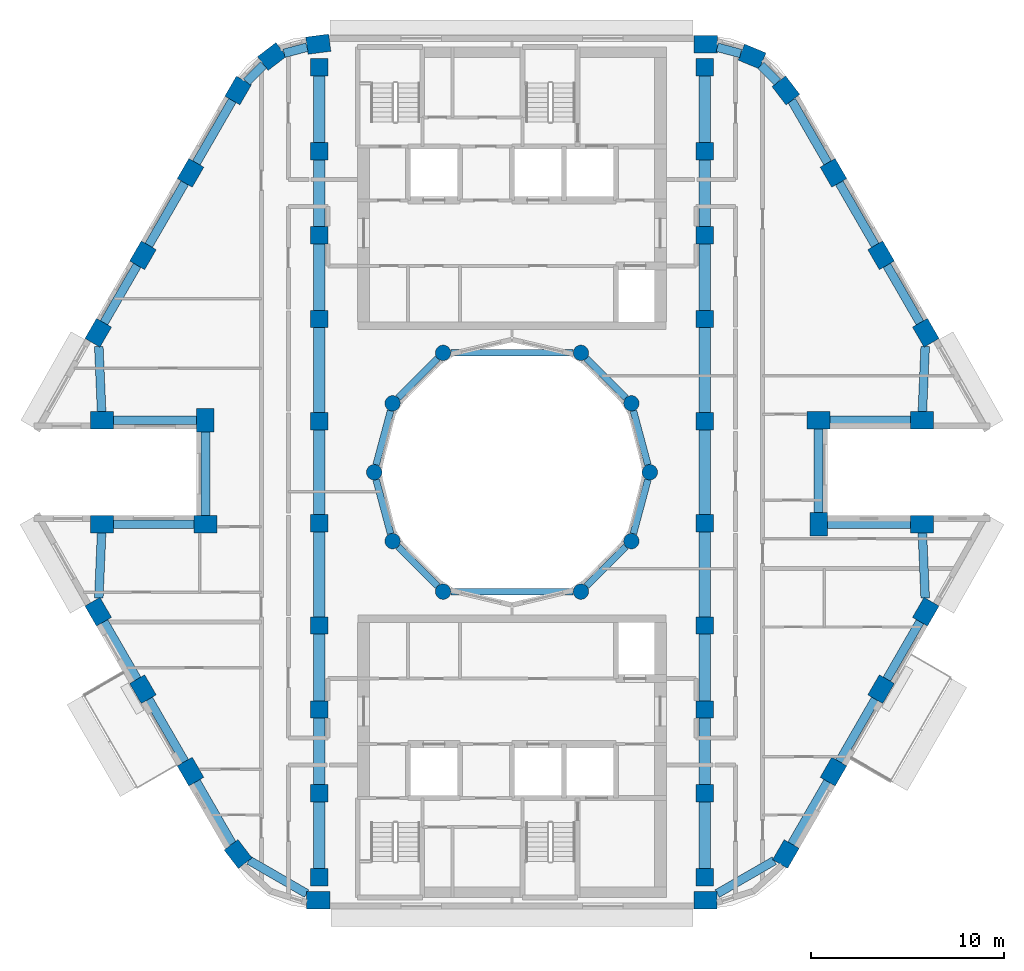
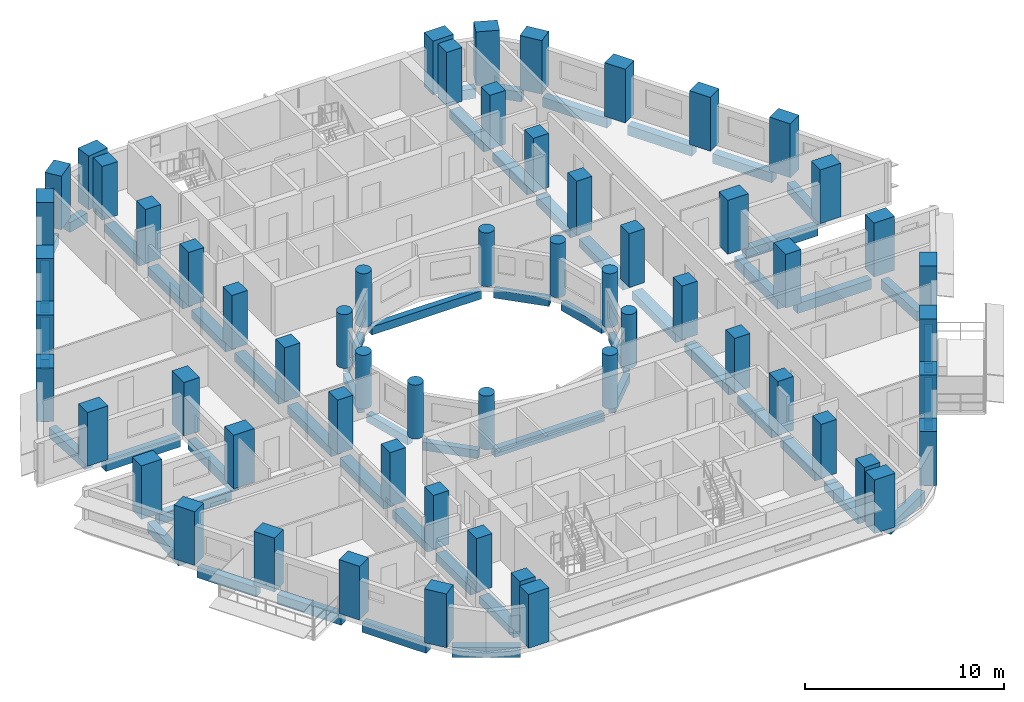
# One storey, part 1 of 15: 60 columns, 56 beams.
"""IFC4 building model written with IfcOpenShell, lengths in metres."""

from ifc_helpers import new_model, si_unit, direction, frame, origin, origin_2d, place, context, subcontext, project, spatial, rectangle, circle, extrude, material, material_profile, profile_set, type_object, element, save


model = new_model("IFC4")

# Units and contexts
model_context = context("Model", 3, precision=1e-05, world=origin(), true_north=direction((0.0, 1.0)))
body_context = subcontext(model_context, "Body", "Model", "MODEL_VIEW")
ifc_project = project(units=[si_unit("LENGTHUNIT", "METRE"), si_unit("AREAUNIT", "SQUARE_METRE"), si_unit("VOLUMEUNIT", "CUBIC_METRE"), si_unit("PLANEANGLEUNIT", "RADIAN"), si_unit("MASSUNIT", "GRAM", prefix="KILO")], contexts=[model_context])

# Site, building, storey
site_placement = place(None, origin())
site = spatial("IfcSite", under=ifc_project, at=site_placement, CompositionType="ELEMENT")
building_placement = place(site_placement, origin())
building = spatial("IfcBuilding", under=site, at=building_placement, Name="Nakaniwa Court", CompositionType="ELEMENT")
storey_placement = place(building_placement, frame((0.0, 0.0, 183.300048828125)))
storey = spatial("IfcBuildingStorey", under=building, at=storey_placement, Name="L47", CompositionType="ELEMENT", Elevation=183.300048828125)

# Columns
ifc_material = material(Name="Concrete C80/100", Category="concrete")
ifc_material_profile_1 = material_profile(ifc_material, rectangle(XDim=1.199951171875, YDim=0.89990234375, at=origin_2d()), Name="Concrete C80/100 RC 1200x900 perimeter column")
ifc_profile_set_1 = profile_set([ifc_material_profile_1], Name="Concrete C80/100")
column_type_1 = type_object("IfcColumnType", Name="Concrete C80/100 RC 1200x900 perimeter column", PredefinedType="COLUMN", material=ifc_profile_set_1)
for number, where, z_axis, x_axis, name in (
    (1, (69.95458984375, 102.199951171875, 0.0), (0.0, 0.0, 1.0), (-0.991442583111, -0.130543496177, 0.0), "COLUMN CO-01"),
    (2, (67.552001953125, 101.560302734375, 0.0), (0.0, 0.0, 1.0), (-0.793363965062, -0.608747582288, 0.0), "COLUMN CO-02"),
    (3, (65.796875, 99.799560546875, 0.0), (0.0, 0.0, 1.0), (-0.5, -0.866025403784, 0.0), "COLUMN CO-03"),
    (4, (63.328857421875, 95.524658203125, 0.0), (0.0, 0.0, 1.0), (-0.5, -0.866025403784, 0.0), "COLUMN CO-04"),
    (5, (60.860595703125, 91.249755859375, 0.0), (0.0, 0.0, 1.0), (-0.5, -0.866025403784, 0.0), "COLUMN CO-05"),
    (6, (58.541015625, 87.232177734375, 0.0), (0.0, 0.0, 1.0), (-0.5, -0.866025403784, 0.0), "COLUMN CO-06"),
    (7, (58.736083984375, 82.699951171875, 0.0), (0.0, 0.0, 1.0), (1.0, 0.0, 0.0), "COLUMN CO-08"),
    (8, (64.1005859375, 82.699951171875, 0.0), (0.0, 0.0, 1.0), (0.0, -1.0, 0.0), "COLUMN CO-09"),
    (9, (64.1005859375, 77.300048828125, 0.0), (0.0, 0.0, 1.0), (-1.0, 0.0, 0.0), "COLUMN CO-10"),
    (10, (58.736083984375, 77.300048828125, 0.0), (0.0, 0.0, 1.0), (-1.0, 0.0, 0.0), "COLUMN CO-11"),
    (11, (58.541015625, 72.767822265625, 0.0), (0.0, 0.0, 1.0), (0.5, -0.866025403784, 0.0), "COLUMN CO-13"),
    (12, (60.860595703125, 68.750244140625, 0.0), (0.0, 0.0, 1.0), (0.5, -0.866025403784, 0.0), "COLUMN CO-14"),
    (13, (63.328857421875, 64.475341796875, 0.0), (0.0, 0.0, 1.0), (0.5, -0.866025403784, 0.0), "COLUMN CO-15"),
    (14, (65.796875, 60.200439453125, 0.0), (0.0, 0.0, 1.0), (0.608761429009, -0.793353340291, 0.0), "COLUMN CO-16"),
    (15, (69.95458984375, 57.800048828125, 0.0), (0.0, 0.0, 1.0), (1.0, 0.0, 0.0), "COLUMN CO-17"),
    (16, (90.03955078125, 57.800048828125, 0.0), (0.0, 0.0, 1.0), (1.0, 0.0, 0.0), "COLUMN CO-21"),
    (17, (94.203125, 60.200439453125, 0.0), (0.0, 0.0, 1.0), (0.5, 0.866025403784, 0.0), "COLUMN CO-22"),
    (18, (96.671142578125, 64.475341796875, 0.0), (0.0, 0.0, 1.0), (0.5, 0.866025403784, 0.0), "COLUMN CO-23"),
    (19, (99.139404296875, 68.750244140625, 0.0), (0.0, 0.0, 1.0), (0.5, 0.866025403784, 0.0), "COLUMN CO-24"),
    (20, (101.458984375, 72.767822265625, 0.0), (0.0, 0.0, 1.0), (0.5, 0.866025403784, 0.0), "COLUMN CO-25"),
    (21, (101.263916015625, 77.300048828125, 0.0), (0.0, 0.0, 1.0), (-1.0, 0.0, 0.0), "COLUMN CO-27"),
    (22, (95.8994140625, 77.300048828125, 0.0), (0.0, 0.0, 1.0), (0.0, 1.0, 0.0), "COLUMN CO-28"),
    (23, (95.8994140625, 82.699951171875, 0.0), (0.0, 0.0, 1.0), (1.0, 0.0, 0.0), "COLUMN CO-29"),
    (24, (101.263916015625, 82.699951171875, 0.0), (0.0, 0.0, 1.0), (1.0, 0.0, 0.0), "COLUMN CO-30"),
    (25, (101.458984375, 87.232177734375, 0.0), (0.0, 0.0, 1.0), (-0.5, 0.866025403784, 0.0), "COLUMN CO-32"),
    (26, (99.139404296875, 91.249755859375, 0.0), (0.0, 0.0, 1.0), (-0.5, 0.866025403784, 0.0), "COLUMN CO-33"),
    (27, (96.671142578125, 95.524658203125, 0.0), (0.0, 0.0, 1.0), (-0.5, 0.866025403784, 0.0), "COLUMN CO-34"),
    (28, (94.203125, 99.799560546875, 0.0), (0.0, 0.0, 1.0), (-0.608761429009, 0.793353340291, 0.0), "COLUMN CO-35"),
    (29, (92.447998046875, 101.560302734375, 0.0), (0.0, 0.0, 1.0), (-0.923879532511, 0.382683432365, 0.0), "COLUMN CO-36"),
    (30, (90.04541015625, 102.199951171875, 0.0), (0.0, 0.0, 1.0), (-1.0, 0.0, 0.0), "COLUMN CO-37"),
):
    element("IfcColumn", number, at=place(storey_placement, frame(where, z_axis=z_axis, x_axis=x_axis)), inside=storey, type_object=column_type_1, Name=name, PredefinedType="COLUMN", context=body_context, shape_type="SweptSolid", body=[
        extrude(rectangle(XDim=1.199951171875, YDim=0.89990234375, at=origin_2d()), origin(), (0.0, 0.0, 1.0), 3.300048828125),
    ])
ifc_material_profile_2 = material_profile(ifc_material, rectangle(XDim=0.89990234375, YDim=0.89990234375, at=origin_2d()), Name="Concrete C80/100 RC 900x900 spine column")
ifc_profile_set_2 = profile_set([ifc_material_profile_2], Name="Concrete C80/100")
column_type_2 = type_object("IfcColumnType", Name="Concrete C80/100 RC 900x900 spine column", PredefinedType="COLUMN", material=ifc_profile_set_2)
for number, where, z_axis, x_axis, name in (
    (31, (90.0, 59.0, 0.0), (0.0, 0.0, 1.0), (0.0, 1.0, 0.0), "COLUMN CS-01"),
    (32, (90.0, 63.35009765625, 0.0), (0.0, 0.0, 1.0), (0.0, 1.0, 0.0), "COLUMN CS-02"),
    (33, (90.0, 67.699951171875, 0.0), (0.0, 0.0, 1.0), (0.0, 1.0, 0.0), "COLUMN CS-03"),
    (34, (90.0, 72.050048828125, 0.0), (0.0, 0.0, 1.0), (0.0, 1.0, 0.0), "COLUMN CS-04"),
    (35, (90.0, 77.35009765625, 0.0), (0.0, 0.0, 1.0), (0.0, 1.0, 0.0), "COLUMN CS-05"),
    (36, (90.0, 82.64990234375, 0.0), (0.0, 0.0, 1.0), (0.0, 1.0, 0.0), "COLUMN CS-06"),
    (37, (90.0, 87.949951171875, 0.0), (0.0, 0.0, 1.0), (0.0, 1.0, 0.0), "COLUMN CS-07"),
    (38, (90.0, 92.300048828125, 0.0), (0.0, 0.0, 1.0), (0.0, 1.0, 0.0), "COLUMN CS-08"),
    (39, (90.0, 96.64990234375, 0.0), (0.0, 0.0, 1.0), (0.0, 1.0, 0.0), "COLUMN CS-09"),
    (40, (90.0, 101.0, 0.0), (0.0, 0.0, 1.0), (0.0, 1.0, 0.0), "COLUMN CS-10"),
    (41, (70.0, 101.0, 0.0), (0.0, 0.0, 1.0), (0.0, -1.0, 0.0), "COLUMN CS-11"),
    (42, (70.0, 96.64990234375, 0.0), (0.0, 0.0, 1.0), (0.0, -1.0, 0.0), "COLUMN CS-12"),
    (43, (70.0, 92.300048828125, 0.0), (0.0, 0.0, 1.0), (0.0, -1.0, 0.0), "COLUMN CS-13"),
    (44, (70.0, 87.949951171875, 0.0), (0.0, 0.0, 1.0), (0.0, -1.0, 0.0), "COLUMN CS-14"),
    (45, (70.0, 82.64990234375, 0.0), (0.0, 0.0, 1.0), (0.0, -1.0, 0.0), "COLUMN CS-15"),
    (46, (70.0, 77.35009765625, 0.0), (0.0, 0.0, 1.0), (0.0, -1.0, 0.0), "COLUMN CS-16"),
    (47, (70.0, 72.050048828125, 0.0), (0.0, 0.0, 1.0), (0.0, -1.0, 0.0), "COLUMN CS-17"),
    (48, (70.0, 67.699951171875, 0.0), (0.0, 0.0, 1.0), (0.0, -1.0, 0.0), "COLUMN CS-18"),
    (49, (70.0, 63.35009765625, 0.0), (0.0, 0.0, 1.0), (0.0, -1.0, 0.0), "COLUMN CS-19"),
    (50, (70.0, 59.0, 0.0), (0.0, 0.0, 1.0), (0.0, -1.0, 0.0), "COLUMN CS-20"),
):
    element("IfcColumn", number, at=place(storey_placement, frame(where, z_axis=z_axis, x_axis=x_axis)), inside=storey, type_object=column_type_2, Name=name, PredefinedType="COLUMN", context=body_context, shape_type="SweptSolid", body=[
        extrude(rectangle(XDim=0.89990234375, YDim=0.89990234375, at=origin_2d()), origin(), (0.0, 0.0, 1.0), 3.300048828125),
    ])
ifc_material_profile_3 = material_profile(ifc_material, circle(Radius=0.39990234375, at=origin_2d()), Name="Concrete C80/100 RC D800 inner ring column")
ifc_profile_set_3 = profile_set([ifc_material_profile_3], Name="Concrete C80/100")
column_type_3 = type_object("IfcColumnType", Name="Concrete C80/100 RC D800 inner ring column", PredefinedType="COLUMN", material=ifc_profile_set_3)
for number, where, z_axis, x_axis, name in (
    (51, (87.14990234375, 80.0, 0.0), (0.0, 0.0, 1.0), (0.0, 1.0, 0.0), "COLUMN CI-01"),
    (52, (86.192138671875, 83.574951171875, 0.0), (0.0, 0.0, 1.0), (-0.5, 0.866025403784, 0.0), "COLUMN CI-02"),
    (53, (83.574951171875, 86.192138671875, 0.0), (0.0, 0.0, 1.0), (-0.866025403784, 0.5, 0.0), "COLUMN CI-03"),
    (54, (76.425048828125, 86.192138671875, 0.0), (0.0, 0.0, 1.0), (-0.866025403784, -0.5, 0.0), "COLUMN CI-05"),
    (55, (73.807861328125, 83.574951171875, 0.0), (0.0, 0.0, 1.0), (-0.5, -0.866025403784, 0.0), "COLUMN CI-06"),
    (56, (72.85009765625, 80.0, 0.0), (0.0, 0.0, 1.0), (0.0, -1.0, 0.0), "COLUMN CI-07"),
    (57, (73.807861328125, 76.425048828125, 0.0), (0.0, 0.0, 1.0), (0.5, -0.866025403784, 0.0), "COLUMN CI-08"),
    (58, (76.425048828125, 73.807861328125, 0.0), (0.0, 0.0, 1.0), (0.866025403784, -0.5, 0.0), "COLUMN CI-09"),
    (59, (83.574951171875, 73.807861328125, 0.0), (0.0, 0.0, 1.0), (0.866025403784, 0.5, 0.0), "COLUMN CI-11"),
    (60, (86.192138671875, 76.425048828125, 0.0), (0.0, 0.0, 1.0), (0.5, 0.866025403784, 0.0), "COLUMN CI-12"),
):
    element("IfcColumn", number, at=place(storey_placement, frame(where, z_axis=z_axis, x_axis=x_axis)), inside=storey, type_object=column_type_3, Name=name, PredefinedType="COLUMN", context=body_context, shape_type="SweptSolid", body=[
        extrude(circle(Radius=0.39990234375, at=origin_2d()), origin(), (0.0, 0.0, 1.0), 3.300048828125),
    ])

# Beams
ifc_material_profile_4 = material_profile(ifc_material, rectangle(XDim=0.35009765625, YDim=0.5, at=origin_2d()), Name="Concrete C80/100 RC 350x500 ring beam")
ifc_profile_set_4 = profile_set([ifc_material_profile_4], Name="Concrete C80/100")
beam_type_1 = type_object("IfcBeamType", Name="Concrete C80/100 RC 350x500 ring beam", PredefinedType="BEAM", material=ifc_profile_set_4)
beam_1_placement = place(storey_placement, frame((87.04638671875, 80.386474609375, -0.525146484375), z_axis=(-0.258778150207, 0.965936783115, 0.0), x_axis=(-0.965936783115, -0.258778150207, 0.0)))
element("IfcBeam", 61, at=beam_1_placement, inside=storey, type_object=beam_type_1, Name="RING BEAM", PredefinedType="BEAM", context=body_context, shape_type="SweptSolid", body=[
    extrude(rectangle(XDim=0.35009765625, YDim=0.5, at=origin_2d()), origin(), (0.0, 0.0, 1.0), 2.901123046875),
])
beam_2_placement = place(storey_placement, frame((85.9091796875, 83.85791015625, -0.525146484375), z_axis=(-0.707106781187, 0.707106781187, 0.0), x_axis=(-0.707106781187, -0.707106781187, 0.0)))
element("IfcBeam", 62, at=beam_2_placement, inside=storey, type_object=beam_type_1, Name="RING BEAM", PredefinedType="BEAM", context=body_context, shape_type="SweptSolid", body=[
    extrude(rectangle(XDim=0.35009765625, YDim=0.5, at=origin_2d()), origin(), (0.0, 0.0, 1.0), 2.90087890625),
])
beam_3_placement = place(storey_placement, frame((83.175048828125, 86.192138671875, -0.525146484375), z_axis=(-1.0, 0.0, 0.0), x_axis=(0.0, -1.0, 0.0)))
element("IfcBeam", 63, at=beam_3_placement, inside=storey, type_object=beam_type_1, Name="RING BEAM", PredefinedType="BEAM", context=body_context, shape_type="SweptSolid", body=[
    extrude(rectangle(XDim=0.35009765625, YDim=0.5, at=origin_2d()), origin(), (0.0, 0.0, 1.0), 6.35009765625),
])
beam_4_placement = place(storey_placement, frame((76.14208984375, 85.9091796875, -0.525146484375), z_axis=(-0.707106781187, -0.707106781187, 0.0), x_axis=(0.707106781187, -0.707106781187, 0.0)))
element("IfcBeam", 64, at=beam_4_placement, inside=storey, type_object=beam_type_1, Name="RING BEAM", PredefinedType="BEAM", context=body_context, shape_type="SweptSolid", body=[
    extrude(rectangle(XDim=0.35009765625, YDim=0.5, at=origin_2d()), origin(), (0.0, 0.0, 1.0), 2.90087890625),
])
for number, where, z_axis, x_axis, name in (
    (65, (73.704345703125, 83.188720703125, -0.525146484375), (-0.258778150207, -0.965936783115, 0.0), (0.965936783115, -0.258778150207, 0.0), "RING BEAM"),
    (66, (72.95361328125, 79.613525390625, -0.525146484375), (0.258778150207, -0.965936783115, 0.0), (0.965936783115, 0.258778150207, 0.0), "RING BEAM"),
):
    element("IfcBeam", number, at=place(storey_placement, frame(where, z_axis=z_axis, x_axis=x_axis)), inside=storey, type_object=beam_type_1, Name=name, PredefinedType="BEAM", context=body_context, shape_type="SweptSolid", body=[
        extrude(rectangle(XDim=0.35009765625, YDim=0.5, at=origin_2d()), origin(), (0.0, 0.0, 1.0), 2.901123046875),
    ])
beam_5_placement = place(storey_placement, frame((74.0908203125, 76.14208984375, -0.525146484375), z_axis=(0.707106781187, -0.707106781187, 0.0), x_axis=(0.707106781187, 0.707106781187, 0.0)))
element("IfcBeam", 67, at=beam_5_placement, inside=storey, type_object=beam_type_1, Name="RING BEAM", PredefinedType="BEAM", context=body_context, shape_type="SweptSolid", body=[
    extrude(rectangle(XDim=0.35009765625, YDim=0.5, at=origin_2d()), origin(), (0.0, 0.0, 1.0), 2.90087890625),
])
beam_6_placement = place(storey_placement, frame((76.824951171875, 73.807861328125, -0.525146484375), z_axis=(1.0, 0.0, 0.0), x_axis=(0.0, 1.0, 0.0)))
element("IfcBeam", 68, at=beam_6_placement, inside=storey, type_object=beam_type_1, Name="RING BEAM", PredefinedType="BEAM", context=body_context, shape_type="SweptSolid", body=[
    extrude(rectangle(XDim=0.35009765625, YDim=0.5, at=origin_2d()), origin(), (0.0, 0.0, 1.0), 6.35009765625),
])
beam_7_placement = place(storey_placement, frame((83.85791015625, 74.0908203125, -0.525146484375), z_axis=(0.707106781187, 0.707106781187, 0.0), x_axis=(-0.707106781187, 0.707106781187, 0.0)))
element("IfcBeam", 69, at=beam_7_placement, inside=storey, type_object=beam_type_1, Name="RING BEAM", PredefinedType="BEAM", context=body_context, shape_type="SweptSolid", body=[
    extrude(rectangle(XDim=0.35009765625, YDim=0.5, at=origin_2d()), origin(), (0.0, 0.0, 1.0), 2.90087890625),
])
beam_8_placement = place(storey_placement, frame((86.295654296875, 76.811279296875, -0.525146484375), z_axis=(0.258778150207, 0.965936783115, 0.0), x_axis=(-0.965936783115, 0.258778150207, 0.0)))
element("IfcBeam", 70, at=beam_8_placement, inside=storey, type_object=beam_type_1, Name="RING BEAM", PredefinedType="BEAM", context=body_context, shape_type="SweptSolid", body=[
    extrude(rectangle(XDim=0.35009765625, YDim=0.5, at=origin_2d()), origin(), (0.0, 0.0, 1.0), 2.901123046875),
])
ifc_material_profile_5 = material_profile(ifc_material, rectangle(XDim=0.449951171875, YDim=0.60009765625, at=origin_2d()), Name="Concrete C80/100 RC 450x600 spandrel beam")
ifc_profile_set_5 = profile_set([ifc_material_profile_5], Name="Concrete C80/100")
beam_type_2 = type_object("IfcBeamType", Name="Concrete C80/100 RC 450x600 spandrel beam", PredefinedType="BEAM", material=ifc_profile_set_5)
beam_9_placement = place(storey_placement, frame((69.3701171875, 102.044189453125, -0.574951171875), z_axis=(-0.966320442624, -0.257341800272, 0.0), x_axis=(0.257341800272, -0.966320442624, 0.0)))
element("IfcBeam", 71, at=beam_9_placement, inside=storey, type_object=beam_type_2, Name="SPANDREL BEAM", PredefinedType="BEAM", context=body_context, shape_type="SweptSolid", body=[
    extrude(rectangle(XDim=0.449951171875, YDim=0.60009765625, at=origin_2d()), origin(), (0.0, 0.0, 1.0), 1.2314453125),
])
beam_10_placement = place(storey_placement, frame((67.124755859375, 101.131591796875, -0.574951171875), z_axis=(-0.705943141011, -0.708268509578, 0.0), x_axis=(0.708268509578, -0.705943141011, 0.0)))
element("IfcBeam", 72, at=beam_10_placement, inside=storey, type_object=beam_type_2, Name="SPANDREL BEAM", PredefinedType="BEAM", context=body_context, shape_type="SweptSolid", body=[
    extrude(rectangle(XDim=0.449951171875, YDim=0.60009765625, at=origin_2d()), origin(), (0.0, 0.0, 1.0), 1.259765625),
])
for number, where, z_axis, x_axis, name in (
    (73, (65.496826171875, 99.27978515625, -0.574951171875), (-0.499969460568, -0.866043035016, 0.0), (0.866043035016, -0.499969460568, 0.0), "SPANDREL BEAM"),
    (74, (63.02880859375, 95.0048828125, -0.574951171875), (-0.500018470369, -0.866014739649, 0.0), (0.866014739649, -0.500018470369, 0.0), "SPANDREL BEAM"),
):
    element("IfcBeam", number, at=place(storey_placement, frame(where, z_axis=z_axis, x_axis=x_axis)), inside=storey, type_object=beam_type_2, Name=name, PredefinedType="BEAM", context=body_context, shape_type="SweptSolid", body=[
        extrude(rectangle(XDim=0.449951171875, YDim=0.60009765625, at=origin_2d()), origin(), (0.0, 0.0, 1.0), 3.736083984375),
    ])
beam_11_placement = place(storey_placement, frame((60.560791015625, 90.72998046875, -0.574951171875), z_axis=(-0.500048133448, -0.865997612142, 0.0), x_axis=(0.865997612142, -0.500048133448, 0.0)))
element("IfcBeam", 75, at=beam_11_placement, inside=storey, type_object=beam_type_2, Name="SPANDREL BEAM", PredefinedType="BEAM", context=body_context, shape_type="SweptSolid", body=[
    extrude(rectangle(XDim=0.449951171875, YDim=0.60009765625, at=origin_2d()), origin(), (0.0, 0.0, 1.0), 3.439208984375),
])
beam_12_placement = place(storey_placement, frame((58.57177734375, 86.521728515625, -0.574951171875), z_axis=(0.042897265713, -0.999079488627, 0.0), x_axis=(0.999079488627, 0.042897265713, 0.0)))
element("IfcBeam", 76, at=beam_12_placement, inside=storey, type_object=beam_type_2, Name="SPANDREL BEAM", PredefinedType="BEAM", context=body_context, shape_type="SweptSolid", body=[
    extrude(rectangle(XDim=0.449951171875, YDim=0.60009765625, at=origin_2d()), origin(), (0.0, 0.0, 1.0), 3.375),
])
beam_13_placement = place(storey_placement, frame((59.3359375, 82.699951171875, -0.574951171875), z_axis=(1.0, 0.0, 0.0), x_axis=(0.0, 1.0, 0.0)))
element("IfcBeam", 77, at=beam_13_placement, inside=storey, type_object=beam_type_2, Name="SPANDREL BEAM", PredefinedType="BEAM", context=body_context, shape_type="SweptSolid", body=[
    extrude(rectangle(XDim=0.449951171875, YDim=0.60009765625, at=origin_2d()), origin(), (0.0, 0.0, 1.0), 4.314453125),
])
beam_14_placement = place(storey_placement, frame((64.1005859375, 82.10009765625, -0.574951171875), z_axis=(0.0, -1.0, 0.0), x_axis=(1.0, 0.0, 0.0)))
element("IfcBeam", 78, at=beam_14_placement, inside=storey, type_object=beam_type_2, Name="SPANDREL BEAM", PredefinedType="BEAM", context=body_context, shape_type="SweptSolid", body=[
    extrude(rectangle(XDim=0.449951171875, YDim=0.60009765625, at=origin_2d()), origin(), (0.0, 0.0, 1.0), 4.35009765625),
])
beam_15_placement = place(storey_placement, frame((63.50048828125, 77.300048828125, -0.574951171875), z_axis=(-1.0, 0.0, 0.0), x_axis=(0.0, -1.0, 0.0)))
element("IfcBeam", 79, at=beam_15_placement, inside=storey, type_object=beam_type_2, Name="SPANDREL BEAM", PredefinedType="BEAM", context=body_context, shape_type="SweptSolid", body=[
    extrude(rectangle(XDim=0.449951171875, YDim=0.60009765625, at=origin_2d()), origin(), (0.0, 0.0, 1.0), 4.16455078125),
])
beam_16_placement = place(storey_placement, frame((58.716552734375, 76.85009765625, -0.574951171875), z_axis=(-0.042897265713, -0.999079488627, 0.0), x_axis=(0.999079488627, -0.042897265713, 0.0)))
element("IfcBeam", 80, at=beam_16_placement, inside=storey, type_object=beam_type_2, Name="SPANDREL BEAM", PredefinedType="BEAM", context=body_context, shape_type="SweptSolid", body=[
    extrude(rectangle(XDim=0.449951171875, YDim=0.60009765625, at=origin_2d()), origin(), (0.0, 0.0, 1.0), 3.375),
])
beam_17_placement = place(storey_placement, frame((58.841064453125, 72.248291015625, -0.574951171875), z_axis=(0.500048133448, -0.865997612142, 0.0), x_axis=(0.865997612142, 0.500048133448, 0.0)))
element("IfcBeam", 81, at=beam_17_placement, inside=storey, type_object=beam_type_2, Name="SPANDREL BEAM", PredefinedType="BEAM", context=body_context, shape_type="SweptSolid", body=[
    extrude(rectangle(XDim=0.449951171875, YDim=0.60009765625, at=origin_2d()), origin(), (0.0, 0.0, 1.0), 3.439208984375),
])
beam_18_placement = place(storey_placement, frame((61.16064453125, 68.230712890625, -0.574951171875), z_axis=(0.500018470369, -0.866014739649, 0.0), x_axis=(0.866014739649, 0.500018470369, 0.0)))
element("IfcBeam", 82, at=beam_18_placement, inside=storey, type_object=beam_type_2, Name="SPANDREL BEAM", PredefinedType="BEAM", context=body_context, shape_type="SweptSolid", body=[
    extrude(rectangle(XDim=0.449951171875, YDim=0.60009765625, at=origin_2d()), origin(), (0.0, 0.0, 1.0), 3.736083984375),
])
beam_19_placement = place(storey_placement, frame((63.62890625, 63.955810546875, -0.574951171875), z_axis=(0.499988672538, -0.866031943599, 0.0), x_axis=(0.866031943599, 0.499988672538, 0.0)))
element("IfcBeam", 83, at=beam_19_placement, inside=storey, type_object=beam_type_2, Name="SPANDREL BEAM", PredefinedType="BEAM", context=body_context, shape_type="SweptSolid", body=[
    extrude(rectangle(XDim=0.449951171875, YDim=0.60009765625, at=origin_2d()), origin(), (0.0, 0.0, 1.0), 3.73095703125),
])
beam_20_placement = place(storey_placement, frame((66.359375, 59.875732421875, -0.574951171875), z_axis=(0.866041005548, -0.49997297598, 0.0), x_axis=(0.49997297598, 0.866041005548, 0.0)))
element("IfcBeam", 84, at=beam_20_placement, inside=storey, type_object=beam_type_2, Name="SPANDREL BEAM", PredefinedType="BEAM", context=body_context, shape_type="SweptSolid", body=[
    extrude(rectangle(XDim=0.449951171875, YDim=0.60009765625, at=origin_2d()), origin(), (0.0, 0.0, 1.0), 3.458740234375),
])
beam_21_placement = place(storey_placement, frame((90.639404296875, 58.14599609375, -0.574951171875), z_axis=(0.866361397704, 0.499417589367, 0.0), x_axis=(-0.499417589367, 0.866361397704, 0.0)))
element("IfcBeam", 85, at=beam_21_placement, inside=storey, type_object=beam_type_2, Name="SPANDREL BEAM", PredefinedType="BEAM", context=body_context, shape_type="SweptSolid", body=[
    extrude(rectangle(XDim=0.449951171875, YDim=0.60009765625, at=origin_2d()), origin(), (0.0, 0.0, 1.0), 3.42041015625),
])
for number, where, z_axis, x_axis, name in (
    (86, (94.503173828125, 60.72021484375, -0.574951171875), (0.499969460568, 0.866043035016, 0.0), (-0.866043035016, 0.499969460568, 0.0), "SPANDREL BEAM"),
    (87, (96.97119140625, 64.9951171875, -0.574951171875), (0.500018470369, 0.866014739649, 0.0), (-0.866014739649, 0.500018470369, 0.0), "SPANDREL BEAM"),
):
    element("IfcBeam", number, at=place(storey_placement, frame(where, z_axis=z_axis, x_axis=x_axis)), inside=storey, type_object=beam_type_2, Name=name, PredefinedType="BEAM", context=body_context, shape_type="SweptSolid", body=[
        extrude(rectangle(XDim=0.449951171875, YDim=0.60009765625, at=origin_2d()), origin(), (0.0, 0.0, 1.0), 3.736083984375),
    ])
beam_22_placement = place(storey_placement, frame((99.439208984375, 69.27001953125, -0.574951171875), z_axis=(0.500048133448, 0.865997612142, 0.0), x_axis=(-0.865997612142, 0.500048133448, 0.0)))
element("IfcBeam", 88, at=beam_22_placement, inside=storey, type_object=beam_type_2, Name="SPANDREL BEAM", PredefinedType="BEAM", context=body_context, shape_type="SweptSolid", body=[
    extrude(rectangle(XDim=0.449951171875, YDim=0.60009765625, at=origin_2d()), origin(), (0.0, 0.0, 1.0), 3.439208984375),
])
beam_23_placement = place(storey_placement, frame((101.42822265625, 73.478271484375, -0.574951171875), z_axis=(-0.042897265713, 0.999079488627, 0.0), x_axis=(-0.999079488627, -0.042897265713, 0.0)))
element("IfcBeam", 89, at=beam_23_placement, inside=storey, type_object=beam_type_2, Name="SPANDREL BEAM", PredefinedType="BEAM", context=body_context, shape_type="SweptSolid", body=[
    extrude(rectangle(XDim=0.449951171875, YDim=0.60009765625, at=origin_2d()), origin(), (0.0, 0.0, 1.0), 3.375),
])
beam_24_placement = place(storey_placement, frame((100.6640625, 77.300048828125, -0.574951171875), z_axis=(-1.0, 0.0, 0.0), x_axis=(0.0, -1.0, 0.0)))
element("IfcBeam", 90, at=beam_24_placement, inside=storey, type_object=beam_type_2, Name="SPANDREL BEAM", PredefinedType="BEAM", context=body_context, shape_type="SweptSolid", body=[
    extrude(rectangle(XDim=0.449951171875, YDim=0.60009765625, at=origin_2d()), origin(), (0.0, 0.0, 1.0), 4.314453125),
])
beam_25_placement = place(storey_placement, frame((95.8994140625, 77.89990234375, -0.574951171875), z_axis=(0.0, 1.0, 0.0), x_axis=(-1.0, 0.0, 0.0)))
element("IfcBeam", 91, at=beam_25_placement, inside=storey, type_object=beam_type_2, Name="SPANDREL BEAM", PredefinedType="BEAM", context=body_context, shape_type="SweptSolid", body=[
    extrude(rectangle(XDim=0.449951171875, YDim=0.60009765625, at=origin_2d()), origin(), (0.0, 0.0, 1.0), 4.35009765625),
])
beam_26_placement = place(storey_placement, frame((96.49951171875, 82.699951171875, -0.574951171875), z_axis=(1.0, 0.0, 0.0), x_axis=(0.0, 1.0, 0.0)))
element("IfcBeam", 92, at=beam_26_placement, inside=storey, type_object=beam_type_2, Name="SPANDREL BEAM", PredefinedType="BEAM", context=body_context, shape_type="SweptSolid", body=[
    extrude(rectangle(XDim=0.449951171875, YDim=0.60009765625, at=origin_2d()), origin(), (0.0, 0.0, 1.0), 4.16455078125),
])
beam_27_placement = place(storey_placement, frame((101.283447265625, 83.14990234375, -0.574951171875), z_axis=(0.042897265713, 0.999079488627, 0.0), x_axis=(-0.999079488627, 0.042897265713, 0.0)))
element("IfcBeam", 93, at=beam_27_placement, inside=storey, type_object=beam_type_2, Name="SPANDREL BEAM", PredefinedType="BEAM", context=body_context, shape_type="SweptSolid", body=[
    extrude(rectangle(XDim=0.449951171875, YDim=0.60009765625, at=origin_2d()), origin(), (0.0, 0.0, 1.0), 3.375),
])
beam_28_placement = place(storey_placement, frame((101.158935546875, 87.751708984375, -0.574951171875), z_axis=(-0.500048133448, 0.865997612142, 0.0), x_axis=(-0.865997612142, -0.500048133448, 0.0)))
element("IfcBeam", 94, at=beam_28_placement, inside=storey, type_object=beam_type_2, Name="SPANDREL BEAM", PredefinedType="BEAM", context=body_context, shape_type="SweptSolid", body=[
    extrude(rectangle(XDim=0.449951171875, YDim=0.60009765625, at=origin_2d()), origin(), (0.0, 0.0, 1.0), 3.439208984375),
])
beam_29_placement = place(storey_placement, frame((98.83935546875, 91.769287109375, -0.574951171875), z_axis=(-0.500018470369, 0.866014739649, 0.0), x_axis=(-0.866014739649, -0.500018470369, 0.0)))
element("IfcBeam", 95, at=beam_29_placement, inside=storey, type_object=beam_type_2, Name="SPANDREL BEAM", PredefinedType="BEAM", context=body_context, shape_type="SweptSolid", body=[
    extrude(rectangle(XDim=0.449951171875, YDim=0.60009765625, at=origin_2d()), origin(), (0.0, 0.0, 1.0), 3.736083984375),
])
beam_30_placement = place(storey_placement, frame((96.37109375, 96.044189453125, -0.574951171875), z_axis=(-0.499988672538, 0.866031943599, 0.0), x_axis=(-0.866031943599, -0.499988672538, 0.0)))
element("IfcBeam", 96, at=beam_30_placement, inside=storey, type_object=beam_type_2, Name="SPANDREL BEAM", PredefinedType="BEAM", context=body_context, shape_type="SweptSolid", body=[
    extrude(rectangle(XDim=0.449951171875, YDim=0.60009765625, at=origin_2d()), origin(), (0.0, 0.0, 1.0), 3.73095703125),
])
beam_31_placement = place(storey_placement, frame((93.77587890625, 100.22802734375, -0.574951171875), z_axis=(-0.705916034154, 0.708295526404, 0.0), x_axis=(-0.708295526404, -0.705916034154, 0.0)))
element("IfcBeam", 97, at=beam_31_placement, inside=storey, type_object=beam_type_2, Name="SPANDREL BEAM", PredefinedType="BEAM", context=body_context, shape_type="SweptSolid", body=[
    extrude(rectangle(XDim=0.449951171875, YDim=0.60009765625, at=origin_2d()), origin(), (0.0, 0.0, 1.0), 1.231201171875),
])
beam_32_placement = place(storey_placement, frame((91.863037109375, 101.716064453125, -0.574951171875), z_axis=(-0.966337757832, 0.257276772735, 0.0), x_axis=(-0.257276772735, -0.966337757832, 0.0)))
element("IfcBeam", 98, at=beam_32_placement, inside=storey, type_object=beam_type_2, Name="SPANDREL BEAM", PredefinedType="BEAM", context=body_context, shape_type="SweptSolid", body=[
    extrude(rectangle(XDim=0.449951171875, YDim=0.60009765625, at=origin_2d()), origin(), (0.0, 0.0, 1.0), 1.26025390625),
])
ifc_material_profile_6 = material_profile(ifc_material, rectangle(XDim=0.60009765625, YDim=0.5, at=origin_2d()), Name="Concrete C80/100 RC 600x500 ring beam")
ifc_profile_set_6 = profile_set([ifc_material_profile_6], Name="Concrete C80/100")
beam_type_3 = type_object("IfcBeamType", Name="Concrete C80/100 RC 600x500 ring beam", PredefinedType="BEAM", material=ifc_profile_set_6)
for number, where, z_axis, x_axis, name in (
    (99, (90.0, 59.449951171875, -0.525146484375), (0.0, 1.0, 0.0), (-1.0, 0.0, 0.0), "RING BEAM"),
    (100, (90.0, 63.800048828125, -0.525146484375), (0.0, 1.0, 0.0), (-1.0, 0.0, 0.0), "RING BEAM"),
):
    element("IfcBeam", number, at=place(storey_placement, frame(where, z_axis=z_axis, x_axis=x_axis)), inside=storey, type_object=beam_type_3, Name=name, PredefinedType="BEAM", context=body_context, shape_type="SweptSolid", body=[
        extrude(rectangle(XDim=0.60009765625, YDim=0.5, at=origin_2d()), origin(), (0.0, 0.0, 1.0), 3.449951171875),
    ])
beam_33_placement = place(storey_placement, frame((90.0, 68.14990234375, -0.525146484375), z_axis=(0.0, 1.0, 0.0), x_axis=(-1.0, 0.0, 0.0)))
element("IfcBeam", 101, at=beam_33_placement, inside=storey, type_object=beam_type_3, Name="RING BEAM", PredefinedType="BEAM", context=body_context, shape_type="SweptSolid", body=[
    extrude(rectangle(XDim=0.60009765625, YDim=0.5, at=origin_2d()), origin(), (0.0, 0.0, 1.0), 3.4501953125),
])
for number, where, z_axis, x_axis, name in (
    (102, (90.0, 72.5, -0.525146484375), (0.0, 1.0, 0.0), (-1.0, 0.0, 0.0), "RING BEAM"),
    (103, (90.0, 77.800048828125, -0.525146484375), (0.0, 1.0, 0.0), (-1.0, 0.0, 0.0), "RING BEAM"),
    (104, (90.0, 83.10009765625, -0.525146484375), (0.0, 1.0, 0.0), (-1.0, 0.0, 0.0), "RING BEAM"),
):
    element("IfcBeam", number, at=place(storey_placement, frame(where, z_axis=z_axis, x_axis=x_axis)), inside=storey, type_object=beam_type_3, Name=name, PredefinedType="BEAM", context=body_context, shape_type="SweptSolid", body=[
        extrude(rectangle(XDim=0.60009765625, YDim=0.5, at=origin_2d()), origin(), (0.0, 0.0, 1.0), 4.39990234375),
    ])
beam_34_placement = place(storey_placement, frame((90.0, 88.39990234375, -0.525146484375), z_axis=(0.0, 1.0, 0.0), x_axis=(-1.0, 0.0, 0.0)))
element("IfcBeam", 105, at=beam_34_placement, inside=storey, type_object=beam_type_3, Name="RING BEAM", PredefinedType="BEAM", context=body_context, shape_type="SweptSolid", body=[
    extrude(rectangle(XDim=0.60009765625, YDim=0.5, at=origin_2d()), origin(), (0.0, 0.0, 1.0), 3.4501953125),
])
for number, where, z_axis, x_axis, name in (
    (106, (90.0, 92.75, -0.525146484375), (0.0, 1.0, 0.0), (-1.0, 0.0, 0.0), "RING BEAM"),
    (107, (90.0, 97.10009765625, -0.525146484375), (0.0, 1.0, 0.0), (-1.0, 0.0, 0.0), "RING BEAM"),
    (108, (70.0, 100.550048828125, -0.525146484375), (0.0, -1.0, 0.0), (1.0, 0.0, 0.0), "RING BEAM"),
    (109, (70.0, 96.199951171875, -0.525146484375), (0.0, -1.0, 0.0), (1.0, 0.0, 0.0), "RING BEAM"),
):
    element("IfcBeam", number, at=place(storey_placement, frame(where, z_axis=z_axis, x_axis=x_axis)), inside=storey, type_object=beam_type_3, Name=name, PredefinedType="BEAM", context=body_context, shape_type="SweptSolid", body=[
        extrude(rectangle(XDim=0.60009765625, YDim=0.5, at=origin_2d()), origin(), (0.0, 0.0, 1.0), 3.449951171875),
    ])
beam_35_placement = place(storey_placement, frame((70.0, 91.85009765625, -0.525146484375), z_axis=(0.0, -1.0, 0.0), x_axis=(1.0, 0.0, 0.0)))
element("IfcBeam", 110, at=beam_35_placement, inside=storey, type_object=beam_type_3, Name="RING BEAM", PredefinedType="BEAM", context=body_context, shape_type="SweptSolid", body=[
    extrude(rectangle(XDim=0.60009765625, YDim=0.5, at=origin_2d()), origin(), (0.0, 0.0, 1.0), 3.4501953125),
])
for number, where, z_axis, x_axis, name in (
    (111, (70.0, 87.5, -0.525146484375), (0.0, -1.0, 0.0), (1.0, 0.0, 0.0), "RING BEAM"),
    (112, (70.0, 82.199951171875, -0.525146484375), (0.0, -1.0, 0.0), (1.0, 0.0, 0.0), "RING BEAM"),
    (113, (70.0, 76.89990234375, -0.525146484375), (0.0, -1.0, 0.0), (1.0, 0.0, 0.0), "RING BEAM"),
):
    element("IfcBeam", number, at=place(storey_placement, frame(where, z_axis=z_axis, x_axis=x_axis)), inside=storey, type_object=beam_type_3, Name=name, PredefinedType="BEAM", context=body_context, shape_type="SweptSolid", body=[
        extrude(rectangle(XDim=0.60009765625, YDim=0.5, at=origin_2d()), origin(), (0.0, 0.0, 1.0), 4.39990234375),
    ])
beam_36_placement = place(storey_placement, frame((70.0, 71.60009765625, -0.525146484375), z_axis=(0.0, -1.0, 0.0), x_axis=(1.0, 0.0, 0.0)))
element("IfcBeam", 114, at=beam_36_placement, inside=storey, type_object=beam_type_3, Name="RING BEAM", PredefinedType="BEAM", context=body_context, shape_type="SweptSolid", body=[
    extrude(rectangle(XDim=0.60009765625, YDim=0.5, at=origin_2d()), origin(), (0.0, 0.0, 1.0), 3.4501953125),
])
for number, where, z_axis, x_axis, name in (
    (115, (70.0, 67.25, -0.525146484375), (0.0, -1.0, 0.0), (1.0, 0.0, 0.0), "RING BEAM"),
    (116, (70.0, 62.89990234375, -0.525146484375), (0.0, -1.0, 0.0), (1.0, 0.0, 0.0), "RING BEAM"),
):
    element("IfcBeam", number, at=place(storey_placement, frame(where, z_axis=z_axis, x_axis=x_axis)), inside=storey, type_object=beam_type_3, Name=name, PredefinedType="BEAM", context=body_context, shape_type="SweptSolid", body=[
        extrude(rectangle(XDim=0.60009765625, YDim=0.5, at=origin_2d()), origin(), (0.0, 0.0, 1.0), 3.449951171875),
    ])

save(model, "model.ifc")
